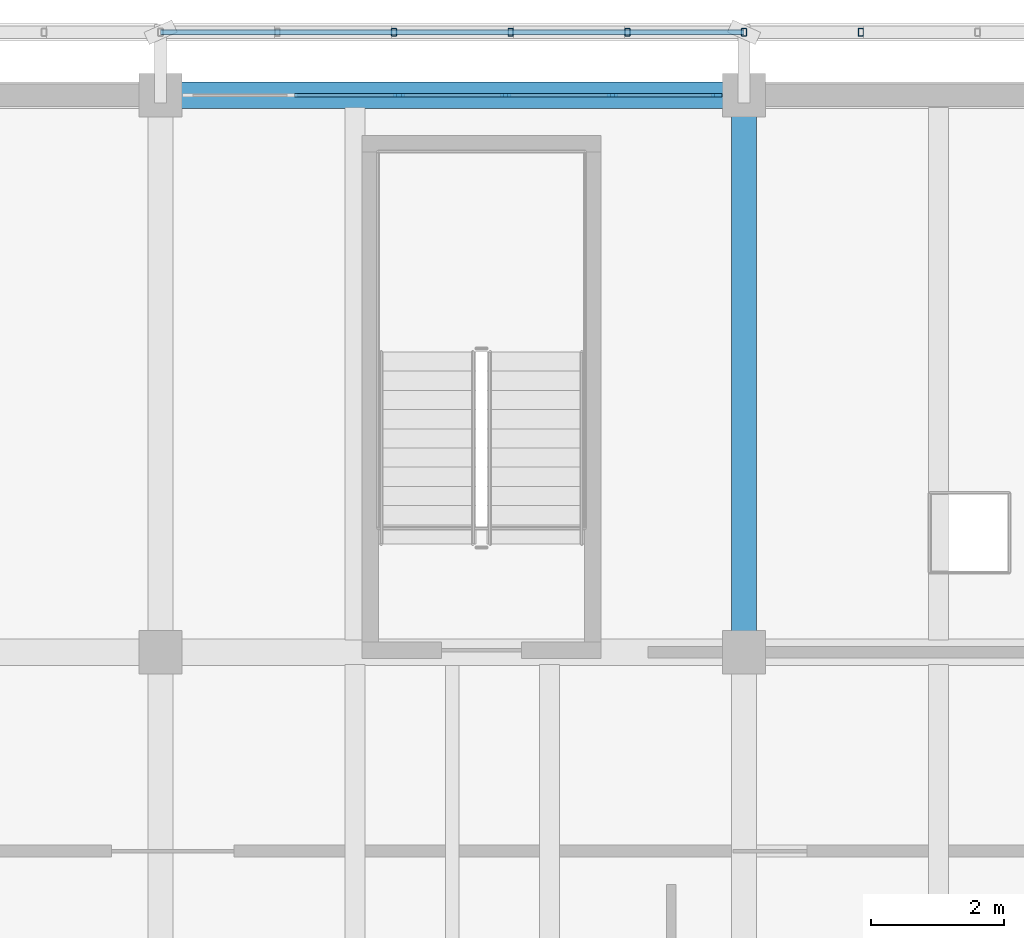
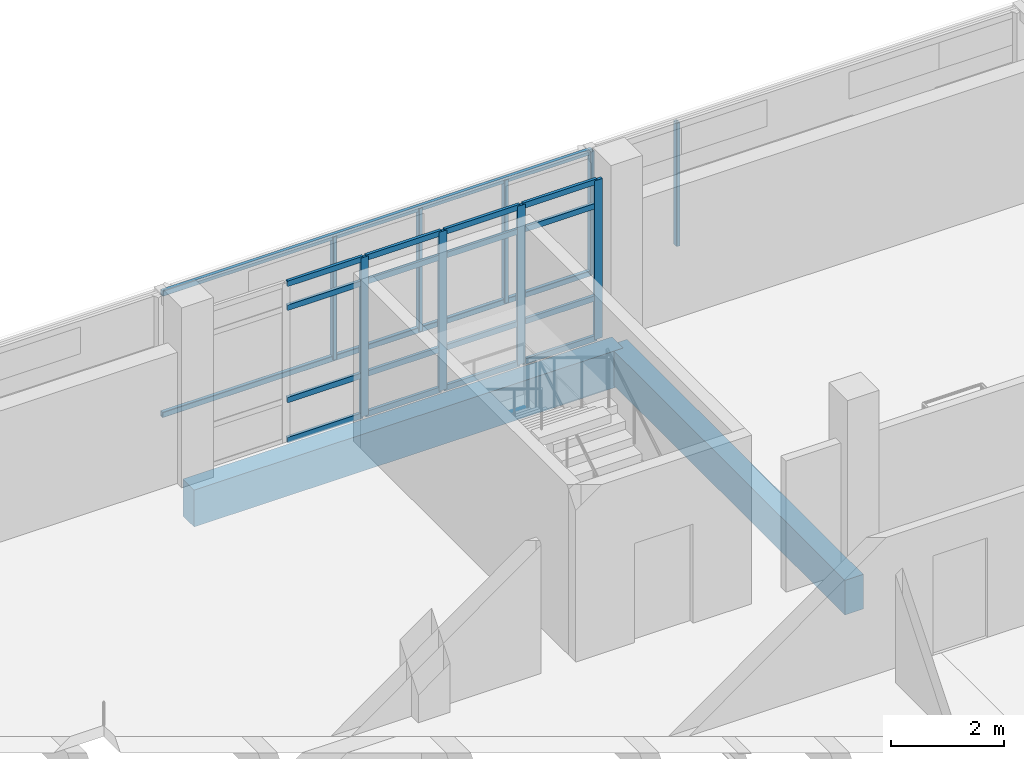
# One storey, part 70 of 117: 27 members, 2 beams, 1 element without a shape of its own.
"""IFC4 building model written with IfcOpenShell, lengths in metres."""

from ifc_helpers import new_model, si_unit, direction, frame, origin, origin_2d, place, context, subcontext, project, spatial, rectangle, hollow_rectangle, extrude, material, material_profile, profile_set, type_object, element, aggregate, save


model = new_model("IFC4")

# Units and contexts
model_context = context("Model", 3, precision=1e-05, world=origin(), true_north=direction((0.0, 1.0)))
body_context = subcontext(model_context, "Body", "Model", "MODEL_VIEW")
ifc_project = project(units=[si_unit("LENGTHUNIT", "METRE"), si_unit("AREAUNIT", "SQUARE_METRE"), si_unit("VOLUMEUNIT", "CUBIC_METRE"), si_unit("PLANEANGLEUNIT", "RADIAN"), si_unit("MASSUNIT", "GRAM", prefix="KILO")], contexts=[model_context])

# Site, building, storey
site_placement = place(None, origin())
site = spatial("IfcSite", under=ifc_project, at=site_placement, CompositionType="ELEMENT")
building_placement = place(site_placement, origin())
building = spatial("IfcBuilding", under=site, at=building_placement, Name="Cinderway Yard Community Centre", CompositionType="ELEMENT")
storey_placement = place(building_placement, frame((0.0, 0.0, 9.0)))
storey = spatial("IfcBuildingStorey", under=building, at=storey_placement, Name="L02", CompositionType="ELEMENT", Elevation=9.0)

# Curtain wall, members
ifc_material_1 = material(Name="Aluminium 6063-T6", Category="aluminium")
curtain_wall_type = type_object("IfcCurtainWallType", Name="ENV-CW-TYPE-30", PredefinedType="USERDEFINED", material=ifc_material_1)
curtain_wall_placement = place(storey_placement, origin())
curtain_wall = element("IfcCurtainWall", 1, at=curtain_wall_placement, inside=storey, type_object=curtain_wall_type, Name="V4 Street Curtain Wall ENV-CW-L02-ST-0154", ObjectType="GLAZED CURTAIN WALL", PredefinedType="USERDEFINED")
ifc_material_profile_1 = material_profile(ifc_material_1, rectangle(XDim=0.06005859375, YDim=0.159912109375, at=origin_2d()), Name="Aluminium 6063-T6")
ifc_profile_set_1 = profile_set([ifc_material_profile_1], Name="Aluminium 6063-T6")
member_type_1 = type_object("IfcMemberType", Name="ENV-CW-MULL-150", PredefinedType="MULLION", material=ifc_profile_set_1)
member_1_placement = place(storey_placement, frame((113.99609375, 115.199951171875, 0.0), z_axis=(0.0, 0.0, 1.0), x_axis=(0.0, 1.0, 0.0)))
member_1 = element("IfcMember", 2, at=member_1_placement, type_object=member_type_1, Name="CW-30 mullion 3", PredefinedType="MULLION", context=body_context, shape_type="SweptSolid", body=[
    extrude(rectangle(XDim=0.06005859375, YDim=0.159912109375, at=origin_2d()), origin(), (0.0, 0.0, 1.0), 3.449951171875),
])
member_2_placement = place(storey_placement, frame((115.60400390625, 115.199951171875, 0.0), z_axis=(0.0, 0.0, 1.0), x_axis=(0.0, 1.0, 0.0)))
member_2 = element("IfcMember", 3, at=member_2_placement, type_object=member_type_1, Name="CW-30 mullion 4", PredefinedType="MULLION", context=body_context, shape_type="SweptSolid", body=[
    extrude(rectangle(XDim=0.06005859375, YDim=0.159912109375, at=origin_2d()), origin(), (0.0, 0.0, 1.0), 3.449951171875),
])
member_3_placement = place(storey_placement, frame((117.2119140625, 115.199951171875, 0.0), z_axis=(0.0, 0.0, 1.0), x_axis=(0.0, 1.0, 0.0)))
member_3 = element("IfcMember", 4, at=member_3_placement, type_object=member_type_1, Name="CW-30 mullion 5", PredefinedType="MULLION", context=body_context, shape_type="SweptSolid", body=[
    extrude(rectangle(XDim=0.06005859375, YDim=0.159912109375, at=origin_2d()), origin(), (0.0, 0.0, 1.0), 3.449951171875),
])
member_4_placement = place(storey_placement, frame((118.7900390625, 115.199951171875, 0.0), z_axis=(0.0, 0.0, 1.0), x_axis=(0.0, 1.0, 0.0)))
member_4 = element("IfcMember", 5, at=member_4_placement, type_object=member_type_1, Name="CW-30 mullion 6", PredefinedType="MULLION", context=body_context, shape_type="SweptSolid", body=[
    extrude(rectangle(XDim=0.06005859375, YDim=0.159912109375, at=origin_2d()), origin(), (0.0, 0.0, 1.0), 3.449951171875),
])
ifc_material_profile_2 = material_profile(ifc_material_1, rectangle(XDim=0.06005859375, YDim=0.1201171875, at=origin_2d()), Name="Aluminium 6063-T6")
ifc_profile_set_2 = profile_set([ifc_material_profile_2], Name="Aluminium 6063-T6")
member_type_2 = type_object("IfcMemberType", Name="ENV-CW-TRAN-110", PredefinedType="USERDEFINED", material=ifc_profile_set_2)
member_5_placement = place(storey_placement, frame((112.41796875, 115.199951171875, 0.030029296875), z_axis=(1.0, 0.0, 0.0), x_axis=(0.0, 1.0, 0.0)))
member_5 = element("IfcMember", 6, at=member_5_placement, type_object=member_type_2, Name="CW-30 transom 2.1", ObjectType="TRANSOM", PredefinedType="USERDEFINED", context=body_context, shape_type="SweptSolid", body=[
    extrude(rectangle(XDim=0.06005859375, YDim=0.1201171875, at=origin_2d()), origin(), (0.0, 0.0, 1.0), 1.548095703125),
])
member_6_placement = place(storey_placement, frame((112.41796875, 115.199951171875, 0.89990234375), z_axis=(1.0, 0.0, 0.0), x_axis=(0.0, 1.0, 0.0)))
member_6 = element("IfcMember", 7, at=member_6_placement, type_object=member_type_2, Name="CW-30 transom 2.2", ObjectType="TRANSOM", PredefinedType="USERDEFINED", context=body_context, shape_type="SweptSolid", body=[
    extrude(rectangle(XDim=0.06005859375, YDim=0.1201171875, at=origin_2d()), origin(), (0.0, 0.0, 1.0), 1.548095703125),
])
member_7_placement = place(storey_placement, frame((112.41796875, 115.199951171875, 2.89990234375), z_axis=(1.0, 0.0, 0.0), x_axis=(0.0, 1.0, 0.0)))
member_7 = element("IfcMember", 8, at=member_7_placement, type_object=member_type_2, Name="CW-30 transom 2.3", ObjectType="TRANSOM", PredefinedType="USERDEFINED", context=body_context, shape_type="SweptSolid", body=[
    extrude(rectangle(XDim=0.06005859375, YDim=0.1201171875, at=origin_2d()), origin(), (0.0, 0.0, 1.0), 1.548095703125),
])
member_8_placement = place(storey_placement, frame((112.41796875, 115.199951171875, 3.419921875), z_axis=(1.0, 0.0, 0.0), x_axis=(0.0, 1.0, 0.0)))
member_8 = element("IfcMember", 9, at=member_8_placement, type_object=member_type_2, Name="CW-30 transom 2.4", ObjectType="TRANSOM", PredefinedType="USERDEFINED", context=body_context, shape_type="SweptSolid", body=[
    extrude(rectangle(XDim=0.06005859375, YDim=0.1201171875, at=origin_2d()), origin(), (0.0, 0.0, 1.0), 1.548095703125),
])
member_9_placement = place(storey_placement, frame((114.02587890625, 115.199951171875, 0.030029296875), z_axis=(1.0, 0.0, 0.0), x_axis=(0.0, 1.0, 0.0)))
member_9 = element("IfcMember", 10, at=member_9_placement, type_object=member_type_2, Name="CW-30 transom 3.1", ObjectType="TRANSOM", PredefinedType="USERDEFINED", context=body_context, shape_type="SweptSolid", body=[
    extrude(rectangle(XDim=0.06005859375, YDim=0.1201171875, at=origin_2d()), origin(), (0.0, 0.0, 1.0), 1.548095703125),
])
member_10_placement = place(storey_placement, frame((114.02587890625, 115.199951171875, 0.89990234375), z_axis=(1.0, 0.0, 0.0), x_axis=(0.0, 1.0, 0.0)))
member_10 = element("IfcMember", 11, at=member_10_placement, type_object=member_type_2, Name="CW-30 transom 3.2", ObjectType="TRANSOM", PredefinedType="USERDEFINED", context=body_context, shape_type="SweptSolid", body=[
    extrude(rectangle(XDim=0.06005859375, YDim=0.1201171875, at=origin_2d()), origin(), (0.0, 0.0, 1.0), 1.548095703125),
])
member_11_placement = place(storey_placement, frame((114.02587890625, 115.199951171875, 2.89990234375), z_axis=(1.0, 0.0, 0.0), x_axis=(0.0, 1.0, 0.0)))
member_11 = element("IfcMember", 12, at=member_11_placement, type_object=member_type_2, Name="CW-30 transom 3.3", ObjectType="TRANSOM", PredefinedType="USERDEFINED", context=body_context, shape_type="SweptSolid", body=[
    extrude(rectangle(XDim=0.06005859375, YDim=0.1201171875, at=origin_2d()), origin(), (0.0, 0.0, 1.0), 1.548095703125),
])
member_12_placement = place(storey_placement, frame((114.02587890625, 115.199951171875, 3.419921875), z_axis=(1.0, 0.0, 0.0), x_axis=(0.0, 1.0, 0.0)))
member_12 = element("IfcMember", 13, at=member_12_placement, type_object=member_type_2, Name="CW-30 transom 3.4", ObjectType="TRANSOM", PredefinedType="USERDEFINED", context=body_context, shape_type="SweptSolid", body=[
    extrude(rectangle(XDim=0.06005859375, YDim=0.1201171875, at=origin_2d()), origin(), (0.0, 0.0, 1.0), 1.548095703125),
])
member_13_placement = place(storey_placement, frame((115.634033203125, 115.199951171875, 0.030029296875), z_axis=(1.0, 0.0, 0.0), x_axis=(0.0, 1.0, 0.0)))
member_13 = element("IfcMember", 14, at=member_13_placement, type_object=member_type_2, Name="CW-30 transom 4.1", ObjectType="TRANSOM", PredefinedType="USERDEFINED", context=body_context, shape_type="SweptSolid", body=[
    extrude(rectangle(XDim=0.06005859375, YDim=0.1201171875, at=origin_2d()), origin(), (0.0, 0.0, 1.0), 1.5478515625),
])
member_14_placement = place(storey_placement, frame((115.634033203125, 115.199951171875, 0.89990234375), z_axis=(1.0, 0.0, 0.0), x_axis=(0.0, 1.0, 0.0)))
member_14 = element("IfcMember", 15, at=member_14_placement, type_object=member_type_2, Name="CW-30 transom 4.2", ObjectType="TRANSOM", PredefinedType="USERDEFINED", context=body_context, shape_type="SweptSolid", body=[
    extrude(rectangle(XDim=0.06005859375, YDim=0.1201171875, at=origin_2d()), origin(), (0.0, 0.0, 1.0), 1.5478515625),
])
member_15_placement = place(storey_placement, frame((115.634033203125, 115.199951171875, 2.89990234375), z_axis=(1.0, 0.0, 0.0), x_axis=(0.0, 1.0, 0.0)))
member_15 = element("IfcMember", 16, at=member_15_placement, type_object=member_type_2, Name="CW-30 transom 4.3", ObjectType="TRANSOM", PredefinedType="USERDEFINED", context=body_context, shape_type="SweptSolid", body=[
    extrude(rectangle(XDim=0.06005859375, YDim=0.1201171875, at=origin_2d()), origin(), (0.0, 0.0, 1.0), 1.5478515625),
])
member_16_placement = place(storey_placement, frame((115.634033203125, 115.199951171875, 3.419921875), z_axis=(1.0, 0.0, 0.0), x_axis=(0.0, 1.0, 0.0)))
member_16 = element("IfcMember", 17, at=member_16_placement, type_object=member_type_2, Name="CW-30 transom 4.4", ObjectType="TRANSOM", PredefinedType="USERDEFINED", context=body_context, shape_type="SweptSolid", body=[
    extrude(rectangle(XDim=0.06005859375, YDim=0.1201171875, at=origin_2d()), origin(), (0.0, 0.0, 1.0), 1.5478515625),
])
member_17_placement = place(storey_placement, frame((117.241943359375, 115.199951171875, 0.030029296875), z_axis=(1.0, 0.0, 0.0), x_axis=(0.0, 1.0, 0.0)))
member_17 = element("IfcMember", 18, at=member_17_placement, type_object=member_type_2, Name="CW-30 transom 5.1", ObjectType="TRANSOM", PredefinedType="USERDEFINED", context=body_context, shape_type="SweptSolid", body=[
    extrude(rectangle(XDim=0.06005859375, YDim=0.1201171875, at=origin_2d()), origin(), (0.0, 0.0, 1.0), 1.51806640625),
])
member_18_placement = place(storey_placement, frame((117.241943359375, 115.199951171875, 0.89990234375), z_axis=(1.0, 0.0, 0.0), x_axis=(0.0, 1.0, 0.0)))
member_18 = element("IfcMember", 19, at=member_18_placement, type_object=member_type_2, Name="CW-30 transom 5.2", ObjectType="TRANSOM", PredefinedType="USERDEFINED", context=body_context, shape_type="SweptSolid", body=[
    extrude(rectangle(XDim=0.06005859375, YDim=0.1201171875, at=origin_2d()), origin(), (0.0, 0.0, 1.0), 1.51806640625),
])
member_19_placement = place(storey_placement, frame((117.241943359375, 115.199951171875, 2.89990234375), z_axis=(1.0, 0.0, 0.0), x_axis=(0.0, 1.0, 0.0)))
member_19 = element("IfcMember", 20, at=member_19_placement, type_object=member_type_2, Name="CW-30 transom 5.3", ObjectType="TRANSOM", PredefinedType="USERDEFINED", context=body_context, shape_type="SweptSolid", body=[
    extrude(rectangle(XDim=0.06005859375, YDim=0.1201171875, at=origin_2d()), origin(), (0.0, 0.0, 1.0), 1.51806640625),
])
member_20_placement = place(storey_placement, frame((117.241943359375, 115.199951171875, 3.419921875), z_axis=(1.0, 0.0, 0.0), x_axis=(0.0, 1.0, 0.0)))
member_20 = element("IfcMember", 21, at=member_20_placement, type_object=member_type_2, Name="CW-30 transom 5.4", ObjectType="TRANSOM", PredefinedType="USERDEFINED", context=body_context, shape_type="SweptSolid", body=[
    extrude(rectangle(XDim=0.06005859375, YDim=0.1201171875, at=origin_2d()), origin(), (0.0, 0.0, 1.0), 1.51806640625),
])
aggregate(curtain_wall, [member_1, member_2, member_3, member_4, member_5, member_6, member_7, member_8, member_9, member_10, member_11, member_12, member_13, member_14, member_15, member_16, member_17, member_18, member_19, member_20])

# Members
ifc_material_2 = material(Name="Steel S355", Category="steel")
ifc_material_profile_3 = material_profile(ifc_material_2, hollow_rectangle(XDim=0.080078125, YDim=0.1201171875, WallThickness=0.00634765625, InnerFilletRadius=0.00634765625, OuterFilletRadius=0.0126953125, at=origin_2d()), Name="Steel S355")
ifc_profile_set_3 = profile_set([ifc_material_profile_3], Name="Steel S355")
member_type_3 = type_object("IfcMemberType", Name="ENV-MEM-SCREEN-RAIL-120", PredefinedType="STRINGER", material=ifc_profile_set_3)
for number, where, z_axis, x_axis, name in (
    (22, (110.39990234375, 116.14990234375, 0.7099609375), (1.0, 0.0, 0.0), (0.0, 1.0, 0.0), "Screen support rail 0163-BOT"),
    (23, (110.39990234375, 116.14990234375, 3.340087890625), (1.0, 0.0, 0.0), (0.0, 1.0, 0.0), "Screen support rail 0164-TOP"),
):
    element("IfcMember", number, at=place(storey_placement, frame(where, z_axis=z_axis, x_axis=x_axis)), inside=storey, type_object=member_type_3, Name=name, PredefinedType="STRINGER", context=body_context, shape_type="SweptSolid", body=[
        extrude(hollow_rectangle(XDim=0.080078125, YDim=0.1201171875, WallThickness=0.00634765625, InnerFilletRadius=0.00634765625, OuterFilletRadius=0.0126953125, at=origin_2d()), origin(), (0.0, 0.0, 1.0), 8.800048828125),
    ])
for number, where, z_axis, x_axis, name in (
    (24, (113.919921875, 116.14990234375, 0.68994140625), (0.0, 0.0, 1.0), (1.0, 0.0, 0.0), "Screen vertical mullion 0166"),
    (25, (115.679931640625, 116.14990234375, 0.68994140625), (0.0, 0.0, 1.0), (1.0, 0.0, 0.0), "Screen vertical mullion 0167"),
    (26, (117.43994140625, 116.14990234375, 0.68994140625), (0.0, 0.0, 1.0), (1.0, 0.0, 0.0), "Screen vertical mullion 0168"),
    (27, (119.199951171875, 116.14990234375, 0.68994140625), (0.0, 0.0, 1.0), (1.0, 0.0, 0.0), "Screen vertical mullion 0169"),
    (28, (120.9599609375, 116.14990234375, 0.68994140625), (0.0, 0.0, 1.0), (1.0, 0.0, 0.0), "Screen vertical mullion 0173"),
):
    element("IfcMember", number, at=place(storey_placement, frame(where, z_axis=z_axis, x_axis=x_axis)), inside=storey, type_object=member_type_3, Name=name, PredefinedType="STRINGER", context=body_context, shape_type="SweptSolid", body=[
        extrude(hollow_rectangle(XDim=0.080078125, YDim=0.1201171875, WallThickness=0.00634765625, InnerFilletRadius=0.00634765625, OuterFilletRadius=0.0126953125, at=origin_2d()), origin(), (0.0, 0.0, 1.0), 2.670166015625),
    ])

# Beams
ifc_material_3 = material(Name="Concrete C35/45", Category="concrete")
ifc_material_profile_4 = material_profile(ifc_material_3, rectangle(XDim=0.3798828125, YDim=0.75, at=origin_2d()), Name="Concrete C35/45")
ifc_profile_set_4 = profile_set([ifc_material_profile_4], Name="Concrete C35/45")
beam_type_1 = type_object("IfcBeamType", Name="STR-BM-RC380X750", PredefinedType="BEAM", material=ifc_profile_set_4)
beam_1_placement = place(storey_placement, frame((119.199951171875, 106.800048828125, -0.614990234375), z_axis=(0.0, 1.0, 0.0), x_axis=(-1.0, 0.0, 0.0)))
element("IfcBeam", 29, at=beam_1_placement, inside=storey, type_object=beam_type_1, Name="Transverse girder STR-BM-L02-BG06-0573", PredefinedType="BEAM", context=body_context, shape_type="SweptSolid", body=[
    extrude(rectangle(XDim=0.3798828125, YDim=0.75, at=origin_2d()), origin(), (0.0, 0.0, 1.0), 8.39990234375),
])
ifc_material_4 = material(Name="Concrete C40/50", Category="concrete")
ifc_material_profile_5 = material_profile(ifc_material_4, rectangle(XDim=0.39990234375, YDim=0.800048828125, at=origin_2d()), Name="Concrete C40/50")
ifc_profile_set_5 = profile_set([ifc_material_profile_5], Name="Concrete C40/50")
beam_type_2 = type_object("IfcBeamType", Name="STR-BM-RC400X800", PredefinedType="BEAM", material=ifc_profile_set_5)
beam_2_placement = place(storey_placement, frame((110.39990234375, 115.199951171875, -0.639892578125), z_axis=(1.0, 0.0, 0.0), x_axis=(0.0, 1.0, 0.0)))
element("IfcBeam", 30, at=beam_2_placement, inside=storey, type_object=beam_type_2, Name="Primary girder STR-BM-L02-BG05-0540", PredefinedType="BEAM", context=body_context, shape_type="SweptSolid", body=[
    extrude(rectangle(XDim=0.39990234375, YDim=0.800048828125, at=origin_2d()), origin(), (0.0, 0.0, 1.0), 8.800048828125),
])

save(model, "model.ifc")
